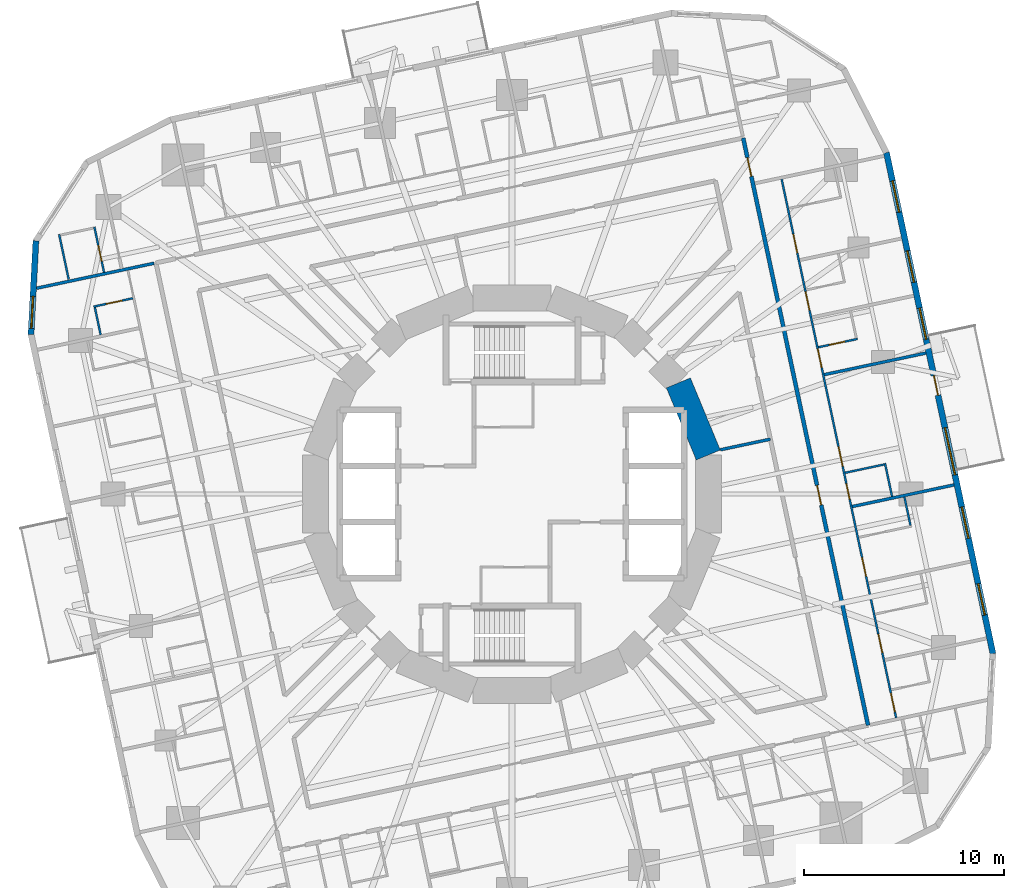
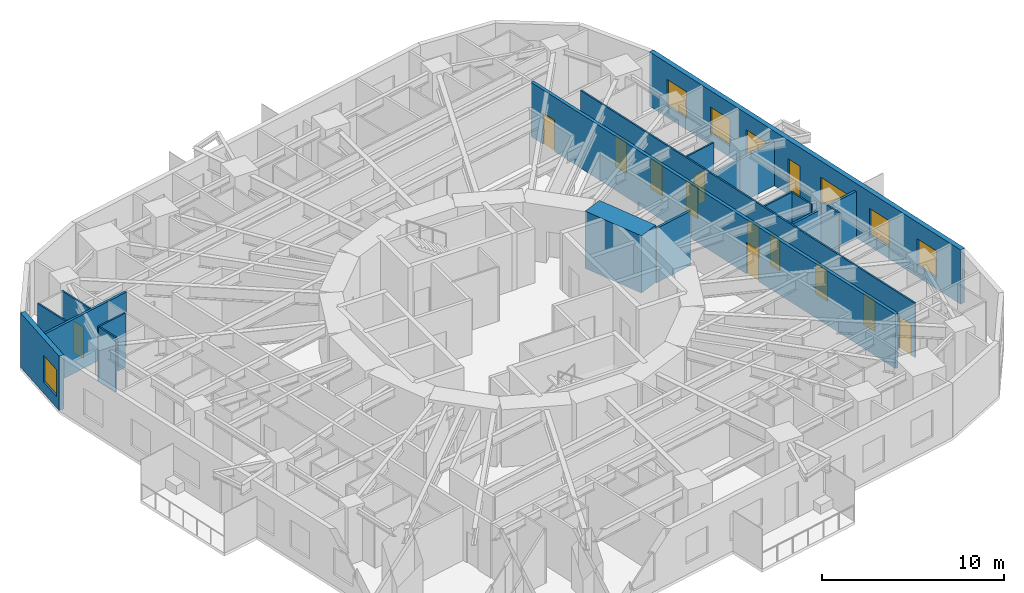
# One storey, part 9 of 14: 17 walls, 14 doors, 7 windows, 21 openings.
"""IFC4 building model written with IfcOpenShell, lengths in metres."""

from ifc_helpers import new_model, si_unit, direction, frame, frame_2d, origin, place, context, subcontext, project, spatial, rectangle, extrude, material, layer, layer_set, type_object, element, fill, save


model = new_model("IFC4")

# Units and contexts
model_context = context("Model", 3, precision=1e-05, world=origin(), true_north=direction((0.0, 1.0)))
body_context = subcontext(model_context, "Body", "Model", "MODEL_VIEW")
ifc_project = project(units=[si_unit("LENGTHUNIT", "METRE"), si_unit("AREAUNIT", "SQUARE_METRE"), si_unit("VOLUMEUNIT", "CUBIC_METRE"), si_unit("PLANEANGLEUNIT", "RADIAN"), si_unit("MASSUNIT", "GRAM", prefix="KILO")], contexts=[model_context])

# Site, building, storey
site_placement = place(None, origin())
site = spatial("IfcSite", under=ifc_project, at=site_placement, CompositionType="ELEMENT")
building_placement = place(site_placement, origin())
building = spatial("IfcBuilding", under=site, at=building_placement, Name="Nakasero Lantern House", CompositionType="ELEMENT")
storey_placement = place(building_placement, frame((0.0, 0.0, 105.0)))
storey = spatial("IfcBuildingStorey", under=building, at=storey_placement, Name="L25", CompositionType="ELEMENT", Elevation=105.0)

# Wall, openings, doors
ifc_material_1 = material(Name="Blockwork", Category="masonry")
ifc_layer_1 = layer(ifc_material_1, 0.10009765625)
ifc_layer_set_1 = layer_set([ifc_layer_1], Name="Cluster hall wall 100")
wall_type_1 = type_object("IfcWallType", Name="Cluster hall wall 100", PredefinedType="PARTITIONING", material=ifc_layer_set_1)
wall_1_placement = place(storey_placement, frame((19.193603515625, -11.1787109375, 0.0), z_axis=(0.0, 0.0, 1.0), x_axis=(-0.207915639441, 0.97814676142, 0.0)))
wall_1 = element("IfcWall", 1, at=wall_1_placement, inside=storey, type_object=wall_type_1, Name="Cluster hall wall L25 HW0-0", PredefinedType="PARTITIONING", context=body_context, shape_type="SweptSolid", body=[
    extrude(rectangle(XDim=27.513427734375, YDim=0.10009765625, at=frame_2d((13.7568359375, 0.0))), origin(), (0.0, 0.0, 1.0), 3.64990234375),
])
opening_1_placement = place(wall_1_placement, frame((12.848876953125, 0.0, 0.0)))
opening_1 = element("IfcOpeningElement", 2, at=opening_1_placement, cuts=wall_1, Name="Opening D03", PredefinedType="OPENING", context=body_context, shape_type="SweptSolid", body=[
    extrude(rectangle(XDim=1.0, YDim=2.10009765625, at=frame_2d((0.5, 1.050048828125))), frame((0.0, 0.070068359375, 0.0), z_axis=(0.0, -1.0, 0.0), x_axis=(1.0, 0.0, 0.0)), (0.0, 0.0, 1.0), 0.14013671875),
])
opening_2_placement = place(wall_1_placement, frame((11.155029296875, 0.0, 0.0)))
opening_2 = element("IfcOpeningElement", 3, at=opening_2_placement, cuts=wall_1, Name="Opening D02", PredefinedType="OPENING", context=body_context, shape_type="SweptSolid", body=[
    extrude(rectangle(XDim=0.800048828125, YDim=2.10009765625, at=frame_2d((0.39990234375, 1.050048828125))), frame((0.0, 0.070068359375, 0.0), z_axis=(0.0, -1.0, 0.0), x_axis=(1.0, 0.0, 0.0)), (0.0, 0.0, 1.0), 0.14013671875),
])
opening_3_placement = place(wall_1_placement, frame((0.300048828125, 0.0, 0.0)))
opening_3 = element("IfcOpeningElement", 4, at=opening_3_placement, cuts=wall_1, Name="Opening D01", PredefinedType="OPENING", context=body_context, shape_type="SweptSolid", body=[
    extrude(rectangle(XDim=0.949951171875, YDim=2.10009765625, at=frame_2d((0.47509765625, 1.050048828125))), frame((0.0, 0.070068359375, 0.0), z_axis=(0.0, -1.0, 0.0), x_axis=(1.0, 0.0, 0.0)), (0.0, 0.0, 1.0), 0.14013671875),
])
opening_4_placement = place(wall_1_placement, frame((3.316162109375, 0.0, 0.0)))
opening_4 = element("IfcOpeningElement", 5, at=opening_4_placement, cuts=wall_1, Name="Opening D01", PredefinedType="OPENING", context=body_context, shape_type="SweptSolid", body=[
    extrude(rectangle(XDim=0.949951171875, YDim=2.10009765625, at=frame_2d((0.47509765625, 1.050048828125))), frame((0.0, 0.070068359375, 0.0), z_axis=(0.0, -1.0, 0.0), x_axis=(1.0, 0.0, 0.0)), (0.0, 0.0, 1.0), 0.14013671875),
])
opening_5_placement = place(wall_1_placement, frame((7.235595703125, 0.0, 0.0)))
opening_5 = element("IfcOpeningElement", 6, at=opening_5_placement, cuts=wall_1, Name="Opening D01", PredefinedType="OPENING", context=body_context, shape_type="SweptSolid", body=[
    extrude(rectangle(XDim=0.949951171875, YDim=2.10009765625, at=frame_2d((0.47509765625, 1.050048828125))), frame((0.0, 0.070068359375, 0.0), z_axis=(0.0, -1.0, 0.0), x_axis=(1.0, 0.0, 0.0)), (0.0, 0.0, 1.0), 0.14013671875),
])
opening_6_placement = place(wall_1_placement, frame((17.892578125, 0.0, 0.0)))
opening_6 = element("IfcOpeningElement", 7, at=opening_6_placement, cuts=wall_1, Name="Opening D01", PredefinedType="OPENING", context=body_context, shape_type="SweptSolid", body=[
    extrude(rectangle(XDim=0.949951171875, YDim=2.10009765625, at=frame_2d((0.47509765625, 1.050048828125))), frame((0.0, 0.070068359375, 0.0), z_axis=(0.0, -1.0, 0.0), x_axis=(1.0, 0.0, 0.0)), (0.0, 0.0, 1.0), 0.14013671875),
])
opening_7_placement = place(wall_1_placement, frame((20.81884765625, 0.0, 0.0)))
opening_7 = element("IfcOpeningElement", 8, at=opening_7_placement, cuts=wall_1, Name="Opening D01", PredefinedType="OPENING", context=body_context, shape_type="SweptSolid", body=[
    extrude(rectangle(XDim=0.949951171875, YDim=2.10009765625, at=frame_2d((0.47509765625, 1.050048828125))), frame((0.0, 0.070068359375, 0.0), z_axis=(0.0, -1.0, 0.0), x_axis=(1.0, 0.0, 0.0)), (0.0, 0.0, 1.0), 0.14013671875),
])
opening_8_placement = place(wall_1_placement, frame((23.745361328125, 0.0, 0.0)))
opening_8 = element("IfcOpeningElement", 9, at=opening_8_placement, cuts=wall_1, Name="Opening D01", PredefinedType="OPENING", context=body_context, shape_type="SweptSolid", body=[
    extrude(rectangle(XDim=0.949951171875, YDim=2.10009765625, at=frame_2d((0.47509765625, 1.050048828125))), frame((0.0, 0.070068359375, 0.0), z_axis=(0.0, -1.0, 0.0), x_axis=(1.0, 0.0, 0.0)), (0.0, 0.0, 1.0), 0.14013671875),
])
ifc_material_2 = material(Name="Timber C24", Category="wood")
door_type_1 = type_object("IfcDoorType", Name="Bedroom door FD30S 950", OperationType="SINGLE_SWING_LEFT", PredefinedType="DOOR", material=ifc_material_2)
door_1_placement = place(opening_3_placement, origin())
door_1 = element("IfcDoor", 10, at=door_1_placement, inside=storey, type_object=door_type_1, Name="Door L25 D0-00", OperationType="SINGLE_SWING_LEFT", OverallHeight=2.10009765625, OverallWidth=0.949951171875, PredefinedType="DOOR", context=body_context, shape_type="SweptSolid", body=[
    extrude(rectangle(XDim=0.949951171875, YDim=2.10009765625, at=frame_2d((0.47509765625, 1.050048828125))), frame((0.0, 0.02490234375, 0.0), z_axis=(0.0, -1.0, 0.0), x_axis=(1.0, 0.0, 0.0)), (0.0, 0.0, 1.0), 0.050048828125),
])
fill(opening_3, door_1)
door_2_placement = place(opening_4_placement, origin())
door_2 = element("IfcDoor", 11, at=door_2_placement, inside=storey, type_object=door_type_1, Name="Door L25 D0-01", OperationType="SINGLE_SWING_LEFT", OverallHeight=2.10009765625, OverallWidth=0.949951171875, PredefinedType="DOOR", context=body_context, shape_type="SweptSolid", body=[
    extrude(rectangle(XDim=0.949951171875, YDim=2.10009765625, at=frame_2d((0.47509765625, 1.050048828125))), frame((0.0, 0.02490234375, 0.0), z_axis=(0.0, -1.0, 0.0), x_axis=(1.0, 0.0, 0.0)), (0.0, 0.0, 1.0), 0.050048828125),
])
fill(opening_4, door_2)
door_3_placement = place(opening_5_placement, origin())
door_3 = element("IfcDoor", 12, at=door_3_placement, inside=storey, type_object=door_type_1, Name="Door L25 D0-02", OperationType="SINGLE_SWING_LEFT", OverallHeight=2.10009765625, OverallWidth=0.949951171875, PredefinedType="DOOR", context=body_context, shape_type="SweptSolid", body=[
    extrude(rectangle(XDim=0.949951171875, YDim=2.10009765625, at=frame_2d((0.47509765625, 1.050048828125))), frame((0.0, 0.02490234375, 0.0), z_axis=(0.0, -1.0, 0.0), x_axis=(1.0, 0.0, 0.0)), (0.0, 0.0, 1.0), 0.050048828125),
])
fill(opening_5, door_3)
door_4_placement = place(opening_6_placement, origin())
door_4 = element("IfcDoor", 13, at=door_4_placement, inside=storey, type_object=door_type_1, Name="Door L25 D0-05", OperationType="SINGLE_SWING_RIGHT", OverallHeight=2.10009765625, OverallWidth=0.949951171875, PredefinedType="DOOR", context=body_context, shape_type="SweptSolid", body=[
    extrude(rectangle(XDim=0.949951171875, YDim=2.10009765625, at=frame_2d((0.47509765625, 1.050048828125))), frame((0.0, 0.02490234375, 0.0), z_axis=(0.0, -1.0, 0.0), x_axis=(1.0, 0.0, 0.0)), (0.0, 0.0, 1.0), 0.050048828125),
])
fill(opening_6, door_4)
door_5_placement = place(opening_7_placement, origin())
door_5 = element("IfcDoor", 14, at=door_5_placement, inside=storey, type_object=door_type_1, Name="Door L25 D0-06", OperationType="SINGLE_SWING_RIGHT", OverallHeight=2.10009765625, OverallWidth=0.949951171875, PredefinedType="DOOR", context=body_context, shape_type="SweptSolid", body=[
    extrude(rectangle(XDim=0.949951171875, YDim=2.10009765625, at=frame_2d((0.47509765625, 1.050048828125))), frame((0.0, 0.02490234375, 0.0), z_axis=(0.0, -1.0, 0.0), x_axis=(1.0, 0.0, 0.0)), (0.0, 0.0, 1.0), 0.050048828125),
])
fill(opening_7, door_5)
door_6_placement = place(opening_8_placement, origin())
door_6 = element("IfcDoor", 15, at=door_6_placement, inside=storey, type_object=door_type_1, Name="Door L25 D0-07", OperationType="SINGLE_SWING_RIGHT", OverallHeight=2.10009765625, OverallWidth=0.949951171875, PredefinedType="DOOR", context=body_context, shape_type="SweptSolid", body=[
    extrude(rectangle(XDim=0.949951171875, YDim=2.10009765625, at=frame_2d((0.47509765625, 1.050048828125))), frame((0.0, 0.02490234375, 0.0), z_axis=(0.0, -1.0, 0.0), x_axis=(1.0, 0.0, 0.0)), (0.0, 0.0, 1.0), 0.050048828125),
])
fill(opening_8, door_6)
ifc_material_3 = material(Name="Timber C24", Category="wood")
door_type_2 = type_object("IfcDoorType", Name="En-suite door 800", OperationType="SINGLE_SWING_RIGHT", PredefinedType="DOOR", material=ifc_material_3)
door_7_placement = place(opening_2_placement, origin())
door_7 = element("IfcDoor", 16, at=door_7_placement, inside=storey, type_object=door_type_2, Name="Door L25 DSH0-0", OperationType="SINGLE_SWING_LEFT", OverallHeight=2.10009765625, OverallWidth=0.800048828125, PredefinedType="DOOR", context=body_context, shape_type="SweptSolid", body=[
    extrude(rectangle(XDim=0.800048828125, YDim=2.10009765625, at=frame_2d((0.39990234375, 1.050048828125))), frame((0.0, 0.02490234375, 0.0), z_axis=(0.0, -1.0, 0.0), x_axis=(1.0, 0.0, 0.0)), (0.0, 0.0, 1.0), 0.050048828125),
])
fill(opening_2, door_7)
ifc_material_4 = material(Name="Timber C24", Category="wood")
door_type_3 = type_object("IfcDoorType", Name="Lounge door FD30S 1000", OperationType="SINGLE_SWING_LEFT", PredefinedType="DOOR", material=ifc_material_4)
door_8_placement = place(opening_1_placement, origin())
door_8 = element("IfcDoor", 17, at=door_8_placement, inside=storey, type_object=door_type_3, Name="Door L25 DH0-0", OperationType="SINGLE_SWING_LEFT", OverallHeight=2.10009765625, OverallWidth=1.0, PredefinedType="DOOR", context=body_context, shape_type="SweptSolid", body=[
    extrude(rectangle(XDim=1.0, YDim=2.10009765625, at=frame_2d((0.5, 1.050048828125))), frame((0.0, 0.02490234375, 0.0), z_axis=(0.0, -1.0, 0.0), x_axis=(1.0, 0.0, 0.0)), (0.0, 0.0, 1.0), 0.050048828125),
])
fill(opening_1, door_8)

# Wall
ifc_material_5 = material(Name="Concrete C50/60", Category="concrete")
ifc_layer_2 = layer(ifc_material_5, 1.300048828125)
ifc_layer_set_2 = layer_set([ifc_layer_2], Name="Core wall 1300")
wall_type_2 = type_object("IfcWallType", Name="Core wall 1300", PredefinedType="SHEAR", material=ifc_layer_set_2)
wall_2_placement = place(storey_placement, frame((9.807861328125, 1.950927734375, 0.0), z_axis=(0.0, 0.0, 1.0), x_axis=(-0.382690736062, 0.923876507187, 0.0)))
element("IfcWall", 18, at=wall_2_placement, inside=storey, type_object=wall_type_2, Name="Core wall L25 facet 1", PredefinedType="SHEAR", context=body_context, shape_type="SweptSolid", body=[
    extrude(rectangle(XDim=3.90185546875, YDim=1.300048828125, at=frame_2d((1.950927734375, 0.0))), origin(), (0.0, 0.0, 1.0), 3.85009765625),
])

# Wall, openings, doors
ifc_material_6 = material(Name="Blockwork", Category="masonry")
ifc_layer_3 = layer(ifc_material_6, 0.199951171875)
ifc_layer_set_3 = layer_set([ifc_layer_3], Name="Corridor wall 200")
wall_type_3 = type_object("IfcWallType", Name="Corridor wall 200", PredefinedType="PARTITIONING", material=ifc_layer_set_3)
wall_3_placement = place(storey_placement, frame((17.790771484375, -11.553466796875, 0.0), z_axis=(0.0, 0.0, 1.0), x_axis=(-0.207911508826, 0.978147639417, 0.0)))
wall_3 = element("IfcWall", 19, at=wall_3_placement, inside=storey, type_object=wall_type_3, Name="Corridor wall L25 CW0", PredefinedType="PARTITIONING", context=body_context, shape_type="SweptSolid", body=[
    extrude(rectangle(XDim=29.999755859375, YDim=0.199951171875, at=frame_2d((15.0, 0.0))), origin(), (0.0, 0.0, 1.0), 3.64990234375),
])
opening_9_placement = place(wall_3_placement, frame((11.255126953125, 0.0, 0.0)))
opening_9 = element("IfcOpeningElement", 20, at=opening_9_placement, cuts=wall_3, Name="Opening D14", PredefinedType="OPENING", context=body_context, shape_type="SweptSolid", body=[
    extrude(rectangle(XDim=1.0, YDim=2.10009765625, at=frame_2d((0.5, 1.050048828125))), frame((0.0, 0.119873046875, 0.0), z_axis=(0.0, -1.0, 0.0), x_axis=(1.0, 0.0, 0.0)), (0.0, 0.0, 1.0), 0.239990234375),
])
opening_10_placement = place(wall_3_placement, frame((28.038330078125, 0.0, 0.0)))
opening_10 = element("IfcOpeningElement", 21, at=opening_10_placement, cuts=wall_3, Name="Opening D01", PredefinedType="OPENING", context=body_context, shape_type="SweptSolid", body=[
    extrude(rectangle(XDim=0.949951171875, YDim=2.10009765625, at=frame_2d((0.47509765625, 1.050048828125))), frame((0.0, 0.119873046875, 0.0), z_axis=(0.0, -1.0, 0.0), x_axis=(1.0, 0.0, 0.0)), (0.0, 0.0, 1.0), 0.239990234375),
])
door_9_placement = place(opening_10_placement, origin())
door_9 = element("IfcDoor", 22, at=door_9_placement, inside=storey, type_object=door_type_1, Name="Door L25 D0-08", OperationType="SINGLE_SWING_RIGHT", OverallHeight=2.10009765625, OverallWidth=0.949951171875, PredefinedType="DOOR", context=body_context, shape_type="SweptSolid", body=[
    extrude(rectangle(XDim=0.949951171875, YDim=2.10009765625, at=frame_2d((0.47509765625, 1.050048828125))), frame((0.0, 0.02490234375, 0.0), z_axis=(0.0, -1.0, 0.0), x_axis=(1.0, 0.0, 0.0)), (0.0, 0.0, 1.0), 0.050048828125),
])
fill(opening_10, door_9)
ifc_material_7 = material(Name="Timber C24", Category="wood")
door_type_4 = type_object("IfcDoorType", Name="Cluster entrance door FD30S 1000", OperationType="SINGLE_SWING_LEFT", PredefinedType="DOOR", material=ifc_material_7)
door_10_placement = place(opening_9_placement, origin())
door_10 = element("IfcDoor", 23, at=door_10_placement, inside=storey, type_object=door_type_4, Name="Door L25 DF0-0", OperationType="SINGLE_SWING_LEFT", OverallHeight=2.10009765625, OverallWidth=1.0, PredefinedType="DOOR", context=body_context, shape_type="SweptSolid", body=[
    extrude(rectangle(XDim=1.0, YDim=2.10009765625, at=frame_2d((0.5, 1.050048828125))), frame((0.0, 0.02490234375, 0.0), z_axis=(0.0, -1.0, 0.0), x_axis=(1.0, 0.0, 0.0)), (0.0, 0.0, 1.0), 0.050048828125),
])
fill(opening_9, door_10)

# Walls
ifc_material_8 = material(Name="Blockwork", Category="masonry")
ifc_layer_4 = layer(ifc_material_8, 0.10009765625)
ifc_layer_set_4 = layer_set([ifc_layer_4], Name="En-suite wall 100")
wall_type_4 = type_object("IfcWallType", Name="En-suite wall 100", PredefinedType="PARTITIONING", material=ifc_layer_set_4)
wall_4_placement = place(storey_placement, frame((16.642578125, 1.0634765625, 0.0), z_axis=(0.0, 0.0, 1.0), x_axis=(0.978134617382, 0.207972763311, 0.0)))
element("IfcWall", 24, at=wall_4_placement, inside=storey, type_object=wall_type_4, Name="En-suite wall L25 SS0-0", PredefinedType="PARTITIONING", context=body_context, shape_type="SweptSolid", body=[
    extrude(rectangle(XDim=2.10009765625, YDim=0.10009765625, at=frame_2d((1.050048828125, 0.0))), origin(), (0.0, 0.0, 1.0), 3.64990234375),
])
wall_5_placement = place(storey_placement, frame((18.99072265625, -0.124267578125, 0.0), z_axis=(0.0, 0.0, 1.0), x_axis=(-0.207812379357, 0.978168704767, 0.0)))
element("IfcWall", 25, at=wall_5_placement, inside=storey, type_object=wall_type_4, Name="En-suite wall L25 SE0-0", PredefinedType="PARTITIONING", context=body_context, shape_type="SweptSolid", body=[
    extrude(rectangle(XDim=1.699951171875, YDim=0.10009765625, at=frame_2d((0.85009765625, 0.0))), origin(), (0.0, 0.0, 1.0), 3.64990234375),
])
wall_6_placement = place(storey_placement, frame((19.910400390625, -1.564453125, 0.0), z_axis=(0.0, 0.0, 1.0), x_axis=(-0.207953405961, 0.978138732977, 0.0)))
element("IfcWall", 26, at=wall_6_placement, inside=storey, type_object=wall_type_4, Name="En-suite wall L25 EE0-02", PredefinedType="PARTITIONING", context=body_context, shape_type="SweptSolid", body=[
    extrude(rectangle(XDim=1.449951171875, YDim=0.10009765625, at=frame_2d((0.72509765625, 0.0))), origin(), (0.0, 0.0, 1.0), 3.64990234375),
])

# Wall, opening, door
wall_7_placement = place(storey_placement, frame((15.30908203125, 7.337158203125, 0.0), z_axis=(0.0, 0.0, 1.0), x_axis=(0.978152955943, 0.207886494942, 0.0)))
wall_7 = element("IfcWall", 27, at=wall_7_placement, inside=storey, type_object=wall_type_4, Name="En-suite wall L25 ES0-05", PredefinedType="PARTITIONING", context=body_context, shape_type="SweptSolid", body=[
    extrude(rectangle(XDim=2.0, YDim=0.10009765625, at=frame_2d((1.0, 0.0))), origin(), (0.0, 0.0, 1.0), 3.64990234375),
])
opening_11_placement = place(wall_7_placement, frame((0.550048828125, 0.0, 0.0)))
opening_11 = element("IfcOpeningElement", 28, at=opening_11_placement, cuts=wall_7, Name="Opening D02", PredefinedType="OPENING", context=body_context, shape_type="SweptSolid", body=[
    extrude(rectangle(XDim=0.800048828125, YDim=2.10009765625, at=frame_2d((0.39990234375, 1.050048828125))), frame((0.0, 0.070068359375, 0.0), z_axis=(0.0, -1.0, 0.0), x_axis=(1.0, 0.0, 0.0)), (0.0, 0.0, 1.0), 0.14013671875),
])
door_11_placement = place(opening_11_placement, origin())
door_11 = element("IfcDoor", 29, at=door_11_placement, inside=storey, type_object=door_type_2, Name="Door L25 DE0-05", OperationType="SINGLE_SWING_LEFT", OverallHeight=2.10009765625, OverallWidth=0.800048828125, PredefinedType="DOOR", context=body_context, shape_type="SweptSolid", body=[
    extrude(rectangle(XDim=0.800048828125, YDim=2.10009765625, at=frame_2d((0.39990234375, 1.050048828125))), frame((0.0, 0.02490234375, 0.0), z_axis=(0.0, -1.0, 0.0), x_axis=(1.0, 0.0, 0.0)), (0.0, 0.0, 1.0), 0.050048828125),
])
fill(opening_11, door_11)

wall_8_placement = place(storey_placement, frame((-20.382568359375, 11.069091796875, 0.0), z_axis=(0.0, 0.0, 1.0), x_axis=(-0.207965047255, 0.978136257952, 0.0)))
wall_8 = element("IfcWall", 30, at=wall_8_placement, inside=storey, type_object=wall_type_4, Name="En-suite wall L25 ES1-08", PredefinedType="PARTITIONING", context=body_context, shape_type="SweptSolid", body=[
    extrude(rectangle(XDim=2.3349609375, YDim=0.10009765625, at=frame_2d((1.16748046875, 0.0))), origin(), (0.0, 0.0, 1.0), 3.64990234375),
])
opening_12_placement = place(wall_8_placement, frame((0.5849609375, 0.0, 0.0)))
opening_12 = element("IfcOpeningElement", 31, at=opening_12_placement, cuts=wall_8, Name="Opening D02", PredefinedType="OPENING", context=body_context, shape_type="SweptSolid", body=[
    extrude(rectangle(XDim=0.800048828125, YDim=2.10009765625, at=frame_2d((0.39990234375, 1.050048828125))), frame((0.0, 0.070068359375, 0.0), z_axis=(0.0, -1.0, 0.0), x_axis=(1.0, 0.0, 0.0)), (0.0, 0.0, 1.0), 0.14013671875),
])
door_12_placement = place(opening_12_placement, origin())
door_12 = element("IfcDoor", 32, at=door_12_placement, inside=storey, type_object=door_type_2, Name="Door L25 DE1-08", OperationType="SINGLE_SWING_LEFT", OverallHeight=2.10009765625, OverallWidth=0.800048828125, PredefinedType="DOOR", context=body_context, shape_type="SweptSolid", body=[
    extrude(rectangle(XDim=0.800048828125, YDim=2.10009765625, at=frame_2d((0.39990234375, 1.050048828125))), frame((0.0, 0.02490234375, 0.0), z_axis=(0.0, -1.0, 0.0), x_axis=(1.0, 0.0, 0.0)), (0.0, 0.0, 1.0), 0.050048828125),
])
fill(opening_12, door_12)

# Wall
wall_9_placement = place(storey_placement, frame((-22.150634765625, 10.72900390625, 0.0), z_axis=(0.0, 0.0, 1.0), x_axis=(-0.207839712757, 0.978162897375, 0.0)))
element("IfcWall", 33, at=wall_9_placement, inside=storey, type_object=wall_type_4, Name="En-suite wall L25 EV1-08", PredefinedType="PARTITIONING", context=body_context, shape_type="SweptSolid", body=[
    extrude(rectangle(XDim=2.300048828125, YDim=0.10009765625, at=frame_2d((1.14990234375, 0.0))), origin(), (0.0, 0.0, 1.0), 3.64990234375),
])

# Wall, opening, door
wall_10_placement = place(storey_placement, frame((-18.947998046875, 9.783203125, 0.0), z_axis=(0.0, 0.0, 1.0), x_axis=(-0.978128127149, -0.208003285743, 0.0)))
wall_10 = element("IfcWall", 34, at=wall_10_placement, inside=storey, type_object=wall_type_4, Name="En-suite wall L25 ES2-00", PredefinedType="PARTITIONING", context=body_context, shape_type="SweptSolid", body=[
    extrude(rectangle(XDim=2.0, YDim=0.10009765625, at=frame_2d((1.0, 0.0))), origin(), (0.0, 0.0, 1.0), 3.64990234375),
])
opening_13_placement = place(wall_10_placement, frame((0.550048828125, 0.0, 0.0)))
opening_13 = element("IfcOpeningElement", 35, at=opening_13_placement, cuts=wall_10, Name="Opening D02", PredefinedType="OPENING", context=body_context, shape_type="SweptSolid", body=[
    extrude(rectangle(XDim=0.800048828125, YDim=2.10009765625, at=frame_2d((0.39990234375, 1.050048828125))), frame((0.0, 0.070068359375, 0.0), z_axis=(0.0, -1.0, 0.0), x_axis=(1.0, 0.0, 0.0)), (0.0, 0.0, 1.0), 0.14013671875),
])
door_13_placement = place(opening_13_placement, origin())
door_13 = element("IfcDoor", 36, at=door_13_placement, inside=storey, type_object=door_type_2, Name="Door L25 DE2-00", OperationType="SINGLE_SWING_LEFT", OverallHeight=2.10009765625, OverallWidth=0.800048828125, PredefinedType="DOOR", context=body_context, shape_type="SweptSolid", body=[
    extrude(rectangle(XDim=0.800048828125, YDim=2.10009765625, at=frame_2d((0.39990234375, 1.050048828125))), frame((0.0, 0.02490234375, 0.0), z_axis=(0.0, -1.0, 0.0), x_axis=(1.0, 0.0, 0.0)), (0.0, 0.0, 1.0), 0.050048828125),
])
fill(opening_13, door_13)

# Wall
wall_11_placement = place(storey_placement, frame((-20.844970703125, 9.328857421875, 0.0), z_axis=(0.0, 0.0, 1.0), x_axis=(0.207873355681, -0.978155748334, 0.0)))
element("IfcWall", 37, at=wall_11_placement, inside=storey, type_object=wall_type_4, Name="En-suite wall L25 EE2-00", PredefinedType="PARTITIONING", context=body_context, shape_type="SweptSolid", body=[
    extrude(rectangle(XDim=1.39990234375, YDim=0.10009765625, at=frame_2d((0.699951171875, 0.0))), origin(), (0.0, 0.0, 1.0), 3.64990234375),
])

# Wall, openings, door, windows
ifc_material_9 = material(Name="Aluminium rainscreen on blockwork", Category="masonry")
ifc_layer_5 = layer(ifc_material_9, 0.300048828125)
ifc_layer_set_5 = layer_set([ifc_layer_5], Name="Facade wall 300")
wall_type_5 = type_object("IfcWallType", Name="Facade wall 300", PredefinedType="SOLIDWALL", material=ifc_layer_set_5)
wall_12_placement = place(storey_placement, frame((24.03369140625, -7.9775390625, 0.0), z_axis=(0.0, 0.0, 1.0), x_axis=(-0.207909055127, 0.978148160964, 0.0)))
wall_12 = element("IfcWall", 38, at=wall_12_placement, inside=storey, type_object=wall_type_5, Name="Facade wall L25 FW0S", PredefinedType="SOLIDWALL", context=body_context, shape_type="SweptSolid", body=[
    extrude(rectangle(XDim=25.60009765625, YDim=0.300048828125, at=frame_2d((12.800048828125, 0.0))), origin(), (0.0, 0.0, 1.0), 3.64990234375),
])
opening_14_placement = place(wall_12_placement, frame((1.975830078125, 0.0, 0.75)))
opening_14 = element("IfcOpeningElement", 39, at=opening_14_placement, cuts=wall_12, Name="Opening W01", PredefinedType="OPENING", context=body_context, shape_type="SweptSolid", body=[
    extrude(rectangle(XDim=1.60009765625, YDim=1.800048828125, at=frame_2d((0.800048828125, 0.89990234375))), frame((0.0, 0.169921875, 0.0), z_axis=(0.0, -1.0, 0.0), x_axis=(1.0, 0.0, 0.0)), (0.0, 0.0, 1.0), 0.340087890625),
])
opening_15_placement = place(wall_12_placement, frame((5.8955078125, 0.0, 0.75)))
opening_15 = element("IfcOpeningElement", 40, at=opening_15_placement, cuts=wall_12, Name="Opening W01", PredefinedType="OPENING", context=body_context, shape_type="SweptSolid", body=[
    extrude(rectangle(XDim=1.60009765625, YDim=1.800048828125, at=frame_2d((0.800048828125, 0.89990234375))), frame((0.0, 0.169921875, 0.0), z_axis=(0.0, -1.0, 0.0), x_axis=(1.0, 0.0, 0.0)), (0.0, 0.0, 1.0), 0.340087890625),
])
opening_16_placement = place(wall_12_placement, frame((16.0556640625, 0.0, 0.75)))
opening_16 = element("IfcOpeningElement", 41, at=opening_16_placement, cuts=wall_12, Name="Opening W01", PredefinedType="OPENING", context=body_context, shape_type="SweptSolid", body=[
    extrude(rectangle(XDim=1.60009765625, YDim=1.800048828125, at=frame_2d((0.800048828125, 0.89990234375))), frame((0.0, 0.169921875, 0.0), z_axis=(0.0, -1.0, 0.0), x_axis=(1.0, 0.0, 0.0)), (0.0, 0.0, 1.0), 0.340087890625),
])
opening_17_placement = place(wall_12_placement, frame((18.982177734375, 0.0, 0.75)))
opening_17 = element("IfcOpeningElement", 42, at=opening_17_placement, cuts=wall_12, Name="Opening W01", PredefinedType="OPENING", context=body_context, shape_type="SweptSolid", body=[
    extrude(rectangle(XDim=1.60009765625, YDim=1.800048828125, at=frame_2d((0.800048828125, 0.89990234375))), frame((0.0, 0.169921875, 0.0), z_axis=(0.0, -1.0, 0.0), x_axis=(1.0, 0.0, 0.0)), (0.0, 0.0, 1.0), 0.340087890625),
])
opening_18_placement = place(wall_12_placement, frame((22.554443359375, 0.0, 0.75)))
opening_18 = element("IfcOpeningElement", 43, at=opening_18_placement, cuts=wall_12, Name="Opening W01", PredefinedType="OPENING", context=body_context, shape_type="SweptSolid", body=[
    extrude(rectangle(XDim=1.60009765625, YDim=1.800048828125, at=frame_2d((0.800048828125, 0.89990234375))), frame((0.0, 0.169921875, 0.0), z_axis=(0.0, -1.0, 0.0), x_axis=(1.0, 0.0, 0.0)), (0.0, 0.0, 1.0), 0.340087890625),
])
opening_19_placement = place(wall_12_placement, frame((9.139404296875, 0.0, 0.75)))
opening_19 = element("IfcOpeningElement", 44, at=opening_19_placement, cuts=wall_12, Name="Opening W03", PredefinedType="OPENING", context=body_context, shape_type="SweptSolid", body=[
    extrude(rectangle(XDim=2.39990234375, YDim=1.800048828125, at=frame_2d((1.199951171875, 0.89990234375))), frame((0.0, 0.169921875, 0.0), z_axis=(0.0, -1.0, 0.0), x_axis=(1.0, 0.0, 0.0)), (0.0, 0.0, 1.0), 0.340087890625),
])
opening_20_placement = place(wall_12_placement, frame((13.208251953125, 0.0, 0.0)))
opening_20 = element("IfcOpeningElement", 45, at=opening_20_placement, cuts=wall_12, Name="Opening D04", PredefinedType="OPENING", context=body_context, shape_type="SweptSolid", body=[
    extrude(rectangle(XDim=1.0, YDim=2.39990234375, at=frame_2d((0.5, 1.199951171875))), frame((0.0, 0.169921875, 0.0), z_axis=(0.0, -1.0, 0.0), x_axis=(1.0, 0.0, 0.0)), (0.0, 0.0, 1.0), 0.340087890625),
])
ifc_material_10 = material(Name="Aluminium 6063-T6 and glass", Category="aluminium")
door_type_5 = type_object("IfcDoorType", Name="Balcony door 1000x2400", OperationType="SINGLE_SWING_RIGHT", PredefinedType="DOOR", material=ifc_material_10)
door_14_placement = place(opening_20_placement, origin())
door_14 = element("IfcDoor", 46, at=door_14_placement, inside=storey, type_object=door_type_5, Name="Balcony door L25 DB0", OperationType="SINGLE_SWING_RIGHT", OverallHeight=2.39990234375, OverallWidth=1.0, PredefinedType="DOOR", context=body_context, shape_type="SweptSolid", body=[
    extrude(rectangle(XDim=1.0, YDim=2.39990234375, at=frame_2d((0.5, 1.199951171875))), frame((0.0, 0.02490234375, 0.0), z_axis=(0.0, -1.0, 0.0), x_axis=(1.0, 0.0, 0.0)), (0.0, 0.0, 1.0), 0.050048828125),
])
fill(opening_20, door_14)
ifc_material_11 = material(Name="Aluminium 6063-T6 and glass", Category="aluminium")
window_type_1 = type_object("IfcWindowType", Name="Bedroom window 1600x1800", PartitioningType="SINGLE_PANEL", PredefinedType="WINDOW", material=ifc_material_11)
window_1_placement = place(opening_14_placement, origin())
window_1 = element("IfcWindow", 47, at=window_1_placement, inside=storey, type_object=window_type_1, Name="Window L25 WN0-01", OverallHeight=1.800048828125, OverallWidth=1.60009765625, PartitioningType="SINGLE_PANEL", PredefinedType="WINDOW", context=body_context, shape_type="SweptSolid", body=[
    extrude(rectangle(XDim=1.60009765625, YDim=1.800048828125, at=frame_2d((0.800048828125, 0.89990234375))), frame((0.0, 0.030029296875, 0.0), z_axis=(0.0, -1.0, 0.0), x_axis=(1.0, 0.0, 0.0)), (0.0, 0.0, 1.0), 0.06005859375),
])
fill(opening_14, window_1)
window_2_placement = place(opening_15_placement, origin())
window_2 = element("IfcWindow", 48, at=window_2_placement, inside=storey, type_object=window_type_1, Name="Window L25 WN0-02", OverallHeight=1.800048828125, OverallWidth=1.60009765625, PartitioningType="SINGLE_PANEL", PredefinedType="WINDOW", context=body_context, shape_type="SweptSolid", body=[
    extrude(rectangle(XDim=1.60009765625, YDim=1.800048828125, at=frame_2d((0.800048828125, 0.89990234375))), frame((0.0, 0.030029296875, 0.0), z_axis=(0.0, -1.0, 0.0), x_axis=(1.0, 0.0, 0.0)), (0.0, 0.0, 1.0), 0.06005859375),
])
fill(opening_15, window_2)
window_3_placement = place(opening_16_placement, origin())
window_3 = element("IfcWindow", 49, at=window_3_placement, inside=storey, type_object=window_type_1, Name="Window L25 WN0-05", OverallHeight=1.800048828125, OverallWidth=1.60009765625, PartitioningType="SINGLE_PANEL", PredefinedType="WINDOW", context=body_context, shape_type="SweptSolid", body=[
    extrude(rectangle(XDim=1.60009765625, YDim=1.800048828125, at=frame_2d((0.800048828125, 0.89990234375))), frame((0.0, 0.030029296875, 0.0), z_axis=(0.0, -1.0, 0.0), x_axis=(1.0, 0.0, 0.0)), (0.0, 0.0, 1.0), 0.06005859375),
])
fill(opening_16, window_3)
window_4_placement = place(opening_17_placement, origin())
window_4 = element("IfcWindow", 50, at=window_4_placement, inside=storey, type_object=window_type_1, Name="Window L25 WN0-06", OverallHeight=1.800048828125, OverallWidth=1.60009765625, PartitioningType="SINGLE_PANEL", PredefinedType="WINDOW", context=body_context, shape_type="SweptSolid", body=[
    extrude(rectangle(XDim=1.60009765625, YDim=1.800048828125, at=frame_2d((0.800048828125, 0.89990234375))), frame((0.0, 0.030029296875, 0.0), z_axis=(0.0, -1.0, 0.0), x_axis=(1.0, 0.0, 0.0)), (0.0, 0.0, 1.0), 0.06005859375),
])
fill(opening_17, window_4)
window_5_placement = place(opening_18_placement, origin())
window_5 = element("IfcWindow", 51, at=window_5_placement, inside=storey, type_object=window_type_1, Name="Window L25 WN0-07", OverallHeight=1.800048828125, OverallWidth=1.60009765625, PartitioningType="SINGLE_PANEL", PredefinedType="WINDOW", context=body_context, shape_type="SweptSolid", body=[
    extrude(rectangle(XDim=1.60009765625, YDim=1.800048828125, at=frame_2d((0.800048828125, 0.89990234375))), frame((0.0, 0.030029296875, 0.0), z_axis=(0.0, -1.0, 0.0), x_axis=(1.0, 0.0, 0.0)), (0.0, 0.0, 1.0), 0.06005859375),
])
fill(opening_18, window_5)
ifc_material_12 = material(Name="Aluminium 6063-T6 and glass", Category="aluminium")
window_type_2 = type_object("IfcWindowType", Name="Lounge window 2400x1800", PartitioningType="SINGLE_PANEL", PredefinedType="WINDOW", material=ifc_material_12)
window_6_placement = place(opening_19_placement, origin())
window_6 = element("IfcWindow", 52, at=window_6_placement, inside=storey, type_object=window_type_2, Name="Window L25 WK0", OverallHeight=1.800048828125, OverallWidth=2.39990234375, PartitioningType="SINGLE_PANEL", PredefinedType="WINDOW", context=body_context, shape_type="SweptSolid", body=[
    extrude(rectangle(XDim=2.39990234375, YDim=1.800048828125, at=frame_2d((1.199951171875, 0.89990234375))), frame((0.0, 0.030029296875, 0.0), z_axis=(0.0, -1.0, 0.0), x_axis=(1.0, 0.0, 0.0)), (0.0, 0.0, 1.0), 0.06005859375),
])
fill(opening_19, window_6)

# Wall, opening, window
wall_13_placement = place(storey_placement, frame((-23.78857421875, 12.655517578125, 0.0), z_axis=(0.0, 0.0, 1.0), x_axis=(-0.052326317, -0.998630039879, 0.0)))
wall_13 = element("IfcWall", 53, at=wall_13_placement, inside=storey, type_object=wall_type_5, Name="Facade wall L25 FW1C3", PredefinedType="SOLIDWALL", context=body_context, shape_type="SweptSolid", body=[
    extrude(rectangle(XDim=4.684326171875, YDim=0.300048828125, at=frame_2d((2.34228515625, 0.0))), origin(), (0.0, 0.0, 1.0), 3.64990234375),
])
opening_21_placement = place(wall_13_placement, frame((2.784912109375, 0.0, 0.75)))
opening_21 = element("IfcOpeningElement", 54, at=opening_21_placement, cuts=wall_13, Name="Opening W01", PredefinedType="OPENING", context=body_context, shape_type="SweptSolid", body=[
    extrude(rectangle(XDim=1.60009765625, YDim=1.800048828125, at=frame_2d((0.800048828125, 0.89990234375))), frame((0.0, 0.169921875, 0.0), z_axis=(0.0, -1.0, 0.0), x_axis=(1.0, 0.0, 0.0)), (0.0, 0.0, 1.0), 0.340087890625),
])
window_7_placement = place(opening_21_placement, origin())
window_7 = element("IfcWindow", 55, at=window_7_placement, inside=storey, type_object=window_type_1, Name="Window L25 WN2-00", OverallHeight=1.800048828125, OverallWidth=1.60009765625, PartitioningType="SINGLE_PANEL", PredefinedType="WINDOW", context=body_context, shape_type="SweptSolid", body=[
    extrude(rectangle(XDim=1.60009765625, YDim=1.800048828125, at=frame_2d((0.800048828125, 0.89990234375))), frame((0.0, 0.030029296875, 0.0), z_axis=(0.0, -1.0, 0.0), x_axis=(1.0, 0.0, 0.0)), (0.0, 0.0, 1.0), 0.06005859375),
])
fill(opening_21, window_7)

# Walls
ifc_material_13 = material(Name="Blockwork", Category="masonry")
ifc_layer_6 = layer(ifc_material_13, 0.14990234375)
ifc_layer_set_6 = layer_set([ifc_layer_6], Name="Party wall 150")
wall_type_6 = type_object("IfcWallType", Name="Party wall 150", PredefinedType="PARTITIONING", material=ifc_layer_set_6)
wall_14_placement = place(storey_placement, frame((17.001220703125, -0.623779296875, 0.0), z_axis=(0.0, 0.0, 1.0), x_axis=(0.978141904084, 0.207938489641, 0.0)))
element("IfcWall", 56, at=wall_14_placement, inside=storey, type_object=wall_type_6, Name="Party wall L25 PW0-03", PredefinedType="PARTITIONING", context=body_context, shape_type="SweptSolid", body=[
    extrude(rectangle(XDim=5.2001953125, YDim=0.14990234375, at=frame_2d((2.60009765625, 0.0))), origin(), (0.0, 0.0, 1.0), 3.12158203125),
])
wall_15_placement = place(storey_placement, frame((15.600341796875, 5.966552734375, 0.0), z_axis=(0.0, 0.0, 1.0), x_axis=(0.978151452323, 0.207893569688, 0.0)))
element("IfcWall", 57, at=wall_15_placement, inside=storey, type_object=wall_type_6, Name="Party wall L25 PW0-05", PredefinedType="PARTITIONING", context=body_context, shape_type="SweptSolid", body=[
    extrude(rectangle(XDim=5.199951171875, YDim=0.14990234375, at=frame_2d((2.60009765625, 0.0))), origin(), (0.0, 0.0, 1.0), 2.95703125),
])
wall_16_placement = place(storey_placement, frame((-17.888671875, 11.53271484375, 0.0), z_axis=(0.0, 0.0, 1.0), x_axis=(-0.978152955943, -0.207886494942, 0.0)))
element("IfcWall", 58, at=wall_16_placement, inside=storey, type_object=wall_type_6, Name="Party wall L25 PW2-00", PredefinedType="PARTITIONING", context=body_context, shape_type="SweptSolid", body=[
    extrude(rectangle(XDim=6.0, YDim=0.14990234375, at=frame_2d((3.0, 0.0))), origin(), (0.0, 0.0, 1.0), 3.64990234375),
])
wall_17_placement = place(storey_placement, frame((12.91162109375, 2.744384765625, 0.0), z_axis=(0.0, 0.0, 1.0), x_axis=(-0.978159092909, -0.207857617037, 0.0)))
element("IfcWall", 59, at=wall_17_placement, inside=storey, type_object=wall_type_6, Name="Party wall L25 IM0", PredefinedType="PARTITIONING", context=body_context, shape_type="SweptSolid", body=[
    extrude(rectangle(XDim=2.56396484375, YDim=0.14990234375, at=frame_2d((1.281982421875, 0.0))), origin(), (0.0, 0.0, 1.0), 3.64990234375),
])

save(model, "model.ifc")
